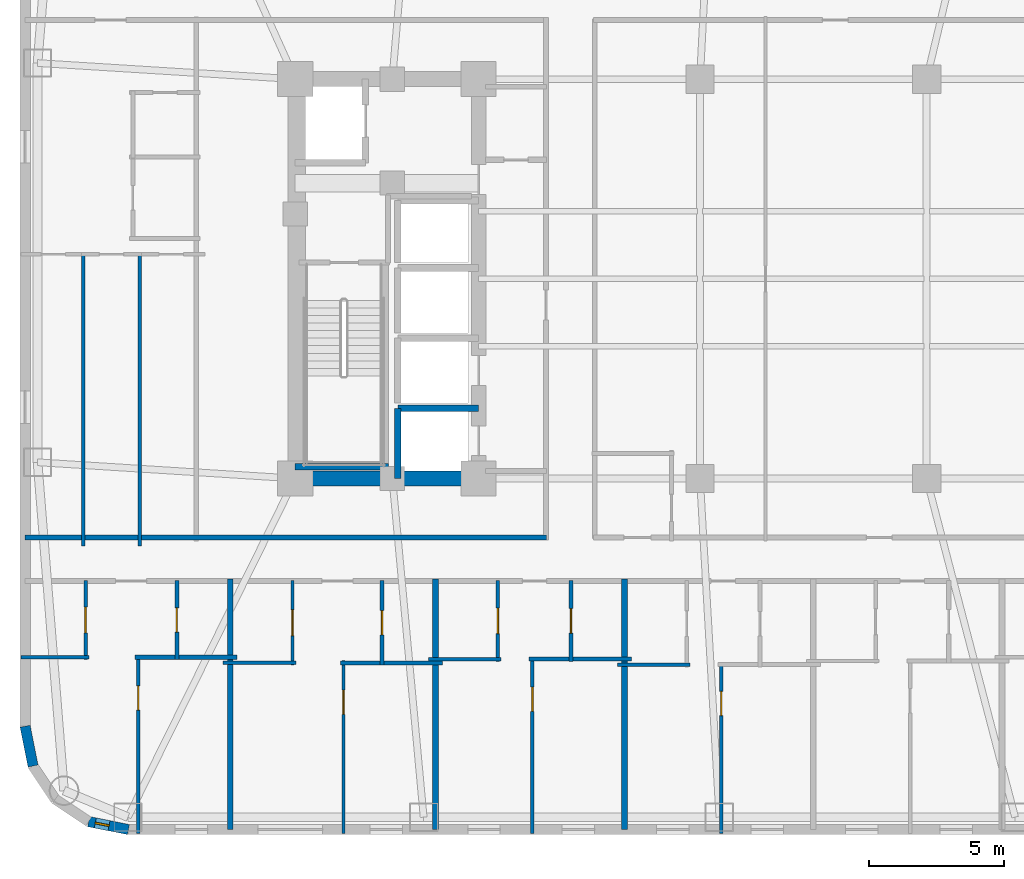
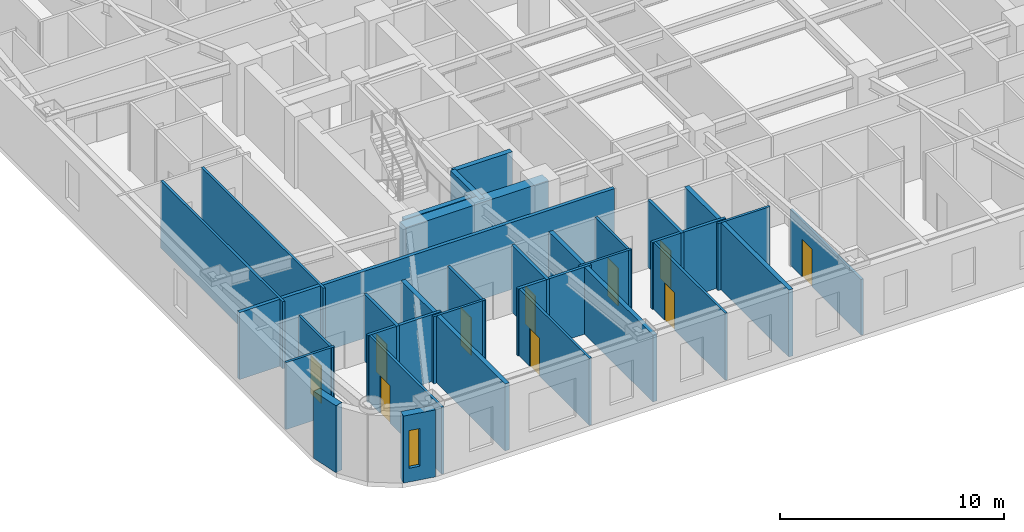
# One storey, part 3 of 13: 29 walls, 10 doors, 1 window, 11 openings.
"""IFC4 building model written with IfcOpenShell, lengths in metres."""

from ifc_helpers import new_model, si_unit, direction, frame, frame_2d, origin, place, context, subcontext, project, spatial, rectangle, extrude, material, layer, layer_set, type_object, element, fill, save


model = new_model("IFC4")

# Units and contexts
model_context = context("Model", 3, precision=1e-05, world=origin(), true_north=direction((0.0, 1.0)))
body_context = subcontext(model_context, "Body", "Model", "MODEL_VIEW")
ifc_project = project(units=[si_unit("LENGTHUNIT", "METRE"), si_unit("AREAUNIT", "SQUARE_METRE"), si_unit("VOLUMEUNIT", "CUBIC_METRE"), si_unit("PLANEANGLEUNIT", "RADIAN"), si_unit("MASSUNIT", "GRAM", prefix="KILO")], contexts=[model_context])

# Site, building, storey
site_placement = place(None, origin())
site = spatial("IfcSite", under=ifc_project, at=site_placement, CompositionType="ELEMENT")
building_placement = place(site_placement, origin())
building = spatial("IfcBuilding", under=site, at=building_placement, Name="Voryun Gate Residences", CompositionType="ELEMENT")
storey_placement = place(building_placement, frame((0.0, 0.0, 120.89990234375)))
storey = spatial("IfcBuildingStorey", under=building, at=storey_placement, Name="L29", CompositionType="ELEMENT", Elevation=120.89990234375)

# Walls
ifc_material_1 = material(Name="Concrete C60/75", Category="concrete")
ifc_layer_1 = layer(ifc_material_1, 0.550048828125, Name="CW_CORE_550")
ifc_layer_set_1 = layer_set([ifc_layer_1], Name="Concrete C60/75")
wall_type_1 = type_object("IfcWallType", Name="CW_CORE_550", PredefinedType="SHEAR", material=ifc_layer_set_1)
wall_1_placement = place(storey_placement, frame((-19.47509765625, -7.39990234375, 0.0), z_axis=(0.0, 0.0, 1.0), x_axis=(1.0, 0.0, 0.0)))
element("IfcWall", 1, at=wall_1_placement, inside=storey, type_object=wall_type_1, Name="L29 Core shear wall CW-L29-WS", PredefinedType="SHEAR", context=body_context, shape_type="SweptSolid", body=[
    extrude(rectangle(XDim=7.35009765625, YDim=0.550048828125, at=frame_2d((3.675048828125, 0.0))), origin(), (0.0, 0.0, 1.0), 3.650146484375),
])
ifc_material_2 = material(Name="Gypsum acoustic fireboard")
ifc_layer_2 = layer(ifc_material_2, 0.179931640625, Name="W_CORR_RATED_180")
ifc_layer_set_2 = layer_set([ifc_layer_2], Name="Gypsum acoustic fireboard")
wall_type_2 = type_object("IfcWallType", Name="W_CORR_RATED_180", PredefinedType="PARTITIONING", material=ifc_layer_set_2)
wall_2_placement = place(storey_placement, frame((-29.2099609375, -9.590087890625, 0.0), z_axis=(0.0, 0.0, 1.0), x_axis=(1.0, 0.0, 0.0)))
element("IfcWall", 2, at=wall_2_placement, inside=storey, type_object=wall_type_2, Name="Partition wall WP-L29-CWING-WS", PredefinedType="PARTITIONING", context=body_context, shape_type="SweptSolid", body=[
    extrude(rectangle(XDim=19.330078125, YDim=0.179931640625, at=frame_2d((9.6650390625, 0.0))), origin(), (0.0, 0.0, 1.0), 3.650146484375),
])

# Wall, opening, window
ifc_material_3 = material(Name="Granite masonry", Category="masonry")
ifc_layer_3 = layer(ifc_material_3, 0.3798828125, Name="W_EXT_GRANITE_380")
ifc_layer_set_3 = layer_set([ifc_layer_3], Name="Granite masonry")
wall_type_3 = type_object("IfcWallType", Name="W_EXT_GRANITE_380", PredefinedType="ELEMENTEDWALL", material=ifc_layer_set_3)
wall_3_placement = place(storey_placement, frame((-25.38134765625, -20.409912109375, 0.0), z_axis=(0.0, 0.0, 1.0), x_axis=(-0.980786132421, 0.195086038585, 0.0)))
wall_3 = element("IfcWall", 3, at=wall_3_placement, inside=storey, type_object=wall_type_3, Name="Exterior wall WEXT-L29-02", PredefinedType="ELEMENTEDWALL", context=body_context, shape_type="SweptSolid", body=[
    extrude(rectangle(XDim=1.504150390625, YDim=0.3798828125, at=frame_2d((0.751953125, 0.0))), origin(), (0.0, 0.0, 1.0), 3.650146484375),
])
opening_1_placement = place(wall_3_placement, frame((0.732177734375, 0.0, 0.75)))
opening_1 = element("IfcOpeningElement", 4, at=opening_1_placement, cuts=wall_3, Name="Opening WN10", PredefinedType="OPENING", context=body_context, shape_type="SweptSolid", body=[
    extrude(rectangle(XDim=0.52001953125, YDim=2.050048828125, at=frame_2d((0.260009765625, 1.02490234375))), frame((0.0, 0.199951171875, 0.0), z_axis=(0.0, -1.0, 0.0), x_axis=(1.0, 0.0, 0.0)), (0.0, 0.0, 1.0), 0.39990234375),
])
ifc_material_4 = material(Name="Laminated low-E glass", Category="glass")
window_type = type_object("IfcWindowType", Name="WN_PAGODA_LANCET_520", PartitioningType="SINGLE_PANEL", PredefinedType="WINDOW", material=ifc_material_4)
window_placement = place(opening_1_placement, origin())
window = element("IfcWindow", 5, at=window_placement, inside=storey, type_object=window_type, Name="Window WN-L29-DWFIX-16", OverallHeight=2.050048828125, OverallWidth=0.52001953125, PartitioningType="SINGLE_PANEL", PredefinedType="WINDOW", context=body_context, shape_type="SweptSolid", body=[
    extrude(rectangle(XDim=0.52001953125, YDim=2.050048828125, at=frame_2d((0.260009765625, 1.02490234375))), frame((0.0, 0.030029296875, 0.0), z_axis=(0.0, -1.0, 0.0), x_axis=(1.0, 0.0, 0.0)), (0.0, 0.0, 1.0), 0.06005859375),
])
fill(opening_1, window)

# Walls
wall_4_placement = place(storey_placement, frame((-28.91650390625, -18.056640625, 0.0), z_axis=(0.0, 0.0, 1.0), x_axis=(-0.195086038585, 0.980786132421, 0.0)))
element("IfcWall", 6, at=wall_4_placement, inside=storey, type_object=wall_type_3, Name="Exterior wall WEXT-L29-05", PredefinedType="ELEMENTEDWALL", context=body_context, shape_type="SweptSolid", body=[
    extrude(rectangle(XDim=1.504150390625, YDim=0.3798828125, at=frame_2d((0.751953125, 0.0))), origin(), (0.0, 0.0, 1.0), 3.650146484375),
])
ifc_material_5 = material(Name="Concrete C40/50", Category="concrete")
ifc_layer_4 = layer(ifc_material_5, 0.219970703125, Name="W_PARTY_ACOUSTIC_220")
ifc_layer_set_4 = layer_set([ifc_layer_4], Name="Concrete C40/50")
wall_type_4 = type_object("IfcWallType", Name="W_PARTY_ACOUSTIC_220", PredefinedType="PARTITIONING", material=ifc_layer_set_4)
for number, where, z_axis, x_axis, name in (
    (7, (-21.60888671875, -20.409912109375, 0.0), (0.0, 0.0, 1.0), (0.0, 1.0, 0.0), "Partition wall WP-L29-SPTY-1"),
    (8, (-14.0, -20.409912109375, 0.0), (0.0, 0.0, 1.0), (0.0, 1.0, 0.0), "Partition wall WP-L29-SPTY-2"),
    (9, (-7.0, -20.409912109375, 0.0), (0.0, 0.0, 1.0), (0.0, 1.0, 0.0), "Partition wall WP-L29-SPTY-3"),
):
    element("IfcWall", number, at=place(storey_placement, frame(where, z_axis=z_axis, x_axis=x_axis)), inside=storey, type_object=wall_type_4, Name=name, PredefinedType="PARTITIONING", context=body_context, shape_type="SweptSolid", body=[
        extrude(rectangle(XDim=9.289794921875, YDim=0.219970703125, at=frame_2d((4.64501953125, 0.0))), origin(), (0.0, 0.0, 1.0), 3.650146484375),
    ])
ifc_material_6 = material(Name="Concrete C50/60", Category="concrete")
ifc_layer_5 = layer(ifc_material_6, 0.25, Name="W_SHAFT_RC250")
ifc_layer_set_5 = layer_set([ifc_layer_5], Name="Concrete C50/60")
wall_type_5 = type_object("IfcWallType", Name="W_SHAFT_RC250", PredefinedType="SOLIDWALL", material=ifc_layer_set_5)
wall_5_placement = place(storey_placement, frame((-19.199951171875, -6.965087890625, 0.0), z_axis=(0.0, 0.0, 1.0), x_axis=(1.0, 0.0, 0.0)))
element("IfcWall", 10, at=wall_5_placement, inside=storey, type_object=wall_type_5, Name="L29 Stair shaft structural wall W-STS", PredefinedType="SOLIDWALL", context=body_context, shape_type="SweptSolid", body=[
    extrude(rectangle(XDim=3.4599609375, YDim=0.25, at=frame_2d((1.72998046875, 0.0))), origin(), (0.0, 0.0, 1.0), 3.650146484375),
])
wall_6_placement = place(storey_placement, frame((-12.39990234375, -4.800048828125, 0.0), z_axis=(0.0, 0.0, 1.0), x_axis=(-1.0, 0.0, 0.0)))
element("IfcWall", 11, at=wall_6_placement, inside=storey, type_object=wall_type_5, Name="Lift shaft wall WSH-L29-EL-P1-N", PredefinedType="SOLIDWALL", context=body_context, shape_type="SweptSolid", body=[
    extrude(rectangle(XDim=3.0, YDim=0.25, at=frame_2d((1.5, 0.0))), origin(), (0.0, 0.0, 1.0), 3.650146484375),
])
wall_7_placement = place(storey_placement, frame((-15.39990234375, -4.800048828125, 0.0), z_axis=(0.0, 0.0, 1.0), x_axis=(0.0, -1.0, 0.0)))
element("IfcWall", 12, at=wall_7_placement, inside=storey, type_object=wall_type_5, Name="Lift shaft wall WSH-L29-EL-P1-W", PredefinedType="SOLIDWALL", context=body_context, shape_type="SweptSolid", body=[
    extrude(rectangle(XDim=2.599853515625, YDim=0.25, at=frame_2d((1.2998046875, 0.0))), origin(), (0.0, 0.0, 1.0), 3.650146484375),
])

# Wall, opening, door
ifc_material_7 = material(Name="Gypsum acoustic partition")
ifc_layer_6 = layer(ifc_material_7, 0.125, Name="W_UNIT_PART_125")
ifc_layer_set_6 = layer_set([ifc_layer_6], Name="Gypsum acoustic partition")
wall_type_6 = type_object("IfcWallType", Name="W_UNIT_PART_125", PredefinedType="PARTITIONING", material=ifc_layer_set_6)
wall_8_placement = place(storey_placement, frame((-25.01904296875, -20.56005859375, 0.0), z_axis=(0.0, 0.0, 1.0), x_axis=(0.0, 1.0, 0.0)))
wall_8 = element("IfcWall", 13, at=wall_8_placement, inside=storey, type_object=wall_type_6, Name="Partition wall WP-L29-S1-OVR", PredefinedType="PARTITIONING", context=body_context, shape_type="SweptSolid", body=[
    extrude(rectangle(XDim=6.614990234375, YDim=0.125, at=frame_2d((3.3076171875, 0.0))), origin(), (0.0, 0.0, 1.0), 3.650146484375),
])
opening_2_placement = place(wall_8_placement, frame((4.577392578125, 0.0, 0.0)))
opening_2 = element("IfcOpeningElement", 14, at=opening_2_placement, cuts=wall_8, Name="Opening D-INT-2", PredefinedType="OPENING", context=body_context, shape_type="SweptSolid", body=[
    extrude(rectangle(XDim=0.89990234375, YDim=2.050048828125, at=frame_2d((0.449951171875, 1.02490234375))), frame((0.0, 0.072509765625, 0.0), z_axis=(0.0, -1.0, 0.0), x_axis=(1.0, 0.0, 0.0)), (0.0, 0.0, 1.0), 0.14501953125),
])
ifc_material_8 = material(Name="Architectural oak veneer")
door_type_1 = type_object("IfcDoorType", Name="DR_INT_BATH_900", OperationType="NOTDEFINED", PredefinedType="DOOR", material=ifc_material_8)
door_1_placement = place(opening_2_placement, origin())
door_1 = element("IfcDoor", 15, at=door_1_placement, inside=storey, type_object=door_type_1, Name="Door DR-L29-S1-DMB", OperationType="SINGLE_SWING_RIGHT", OverallHeight=2.050048828125, OverallWidth=0.89990234375, PredefinedType="DOOR", context=body_context, shape_type="SweptSolid", body=[
    extrude(rectangle(XDim=0.89990234375, YDim=2.050048828125, at=frame_2d((0.449951171875, 1.02490234375))), frame((0.0, 0.02490234375, 0.0), z_axis=(0.0, -1.0, 0.0), x_axis=(1.0, 0.0, 0.0)), (0.0, 0.0, 1.0), 0.050048828125),
])
fill(opening_2, door_1)

wall_9_placement = place(storey_placement, frame((-26.968017578125, -14.10498046875, 0.0), z_axis=(0.0, 0.0, 1.0), x_axis=(0.0, 1.0, 0.0)))
wall_9 = element("IfcWall", 16, at=wall_9_placement, inside=storey, type_object=wall_type_6, Name="Partition wall WP-L29-S1-IVK", PredefinedType="PARTITIONING", context=body_context, shape_type="SweptSolid", body=[
    extrude(rectangle(XDim=2.925048828125, YDim=0.125, at=frame_2d((1.46240234375, 0.0))), origin(), (0.0, 0.0, 1.0), 3.650146484375),
])
opening_3_placement = place(wall_9_placement, frame((0.987548828125, 0.0, 0.0)))
opening_3 = element("IfcOpeningElement", 17, at=opening_3_placement, cuts=wall_9, Name="Opening D-INT-1", PredefinedType="OPENING", context=body_context, shape_type="SweptSolid", body=[
    extrude(rectangle(XDim=0.949951171875, YDim=2.050048828125, at=frame_2d((0.47509765625, 1.02490234375))), frame((0.0, 0.072509765625, 0.0), z_axis=(0.0, -1.0, 0.0), x_axis=(1.0, 0.0, 0.0)), (0.0, 0.0, 1.0), 0.14501953125),
])
ifc_material_9 = material(Name="Architectural oak veneer")
door_type_2 = type_object("IfcDoorType", Name="DR_INT_ROOM_950", OperationType="NOTDEFINED", PredefinedType="DOOR", material=ifc_material_9)
door_2_placement = place(opening_3_placement, origin())
door_2 = element("IfcDoor", 18, at=door_2_placement, inside=storey, type_object=door_type_2, Name="Door DR-L29-S1-DK", OperationType="SINGLE_SWING_LEFT", OverallHeight=2.050048828125, OverallWidth=0.949951171875, PredefinedType="DOOR", context=body_context, shape_type="SweptSolid", body=[
    extrude(rectangle(XDim=0.949951171875, YDim=2.050048828125, at=frame_2d((0.47509765625, 1.02490234375))), frame((0.0, 0.02490234375, 0.0), z_axis=(0.0, -1.0, 0.0), x_axis=(1.0, 0.0, 0.0)), (0.0, 0.0, 1.0), 0.050048828125),
])
fill(opening_3, door_2)

# Wall
wall_10_placement = place(storey_placement, frame((-29.360107421875, -14.02490234375, 0.0), z_axis=(0.0, 0.0, 1.0), x_axis=(1.0, 0.0, 0.0)))
element("IfcWall", 19, at=wall_10_placement, inside=storey, type_object=wall_type_6, Name="Partition wall WP-L29-S1-HZK", PredefinedType="PARTITIONING", context=body_context, shape_type="SweptSolid", body=[
    extrude(rectangle(XDim=2.51220703125, YDim=0.125, at=frame_2d((1.256103515625, 0.0))), origin(), (0.0, 0.0, 1.0), 3.650146484375),
])

# Wall, opening, door
wall_11_placement = place(storey_placement, frame((-17.409912109375, -20.56005859375, 0.0), z_axis=(0.0, 0.0, 1.0), x_axis=(0.0, 1.0, 0.0)))
wall_11 = element("IfcWall", 20, at=wall_11_placement, inside=storey, type_object=wall_type_6, Name="Partition wall WP-L29-S2-OVR", PredefinedType="PARTITIONING", context=body_context, shape_type="SweptSolid", body=[
    extrude(rectangle(XDim=6.407958984375, YDim=0.125, at=frame_2d((3.2041015625, 0.0))), origin(), (0.0, 0.0, 1.0), 3.650146484375),
])
opening_4_placement = place(wall_11_placement, frame((4.420166015625, 0.0, 0.0)))
opening_4 = element("IfcOpeningElement", 21, at=opening_4_placement, cuts=wall_11, Name="Opening D-INT-2", PredefinedType="OPENING", context=body_context, shape_type="SweptSolid", body=[
    extrude(rectangle(XDim=0.89990234375, YDim=2.050048828125, at=frame_2d((0.449951171875, 1.02490234375))), frame((0.0, 0.072509765625, 0.0), z_axis=(0.0, -1.0, 0.0), x_axis=(1.0, 0.0, 0.0)), (0.0, 0.0, 1.0), 0.14501953125),
])
door_3_placement = place(opening_4_placement, origin())
door_3 = element("IfcDoor", 22, at=door_3_placement, inside=storey, type_object=door_type_1, Name="Door DR-L29-S2-DMB", OperationType="SINGLE_SWING_RIGHT", OverallHeight=2.050048828125, OverallWidth=0.89990234375, PredefinedType="DOOR", context=body_context, shape_type="SweptSolid", body=[
    extrude(rectangle(XDim=0.89990234375, YDim=2.050048828125, at=frame_2d((0.449951171875, 1.02490234375))), frame((0.0, 0.02490234375, 0.0), z_axis=(0.0, -1.0, 0.0), x_axis=(1.0, 0.0, 0.0)), (0.0, 0.0, 1.0), 0.050048828125),
])
fill(opening_4, door_3)

wall_12_placement = place(storey_placement, frame((-19.299072265625, -14.31201171875, 0.0), z_axis=(0.0, 0.0, 1.0), x_axis=(0.0, 1.0, 0.0)))
wall_12 = element("IfcWall", 23, at=wall_12_placement, inside=storey, type_object=wall_type_6, Name="Partition wall WP-L29-S2-IVK", PredefinedType="PARTITIONING", context=body_context, shape_type="SweptSolid", body=[
    extrude(rectangle(XDim=3.132080078125, YDim=0.125, at=frame_2d((1.56591796875, 0.0))), origin(), (0.0, 0.0, 1.0), 3.650146484375),
])
opening_5_placement = place(wall_12_placement, frame((1.091064453125, 0.0, 0.0)))
opening_5 = element("IfcOpeningElement", 24, at=opening_5_placement, cuts=wall_12, Name="Opening D-INT-1", PredefinedType="OPENING", context=body_context, shape_type="SweptSolid", body=[
    extrude(rectangle(XDim=0.949951171875, YDim=2.050048828125, at=frame_2d((0.47509765625, 1.02490234375))), frame((0.0, 0.072509765625, 0.0), z_axis=(0.0, -1.0, 0.0), x_axis=(1.0, 0.0, 0.0)), (0.0, 0.0, 1.0), 0.14501953125),
])
door_4_placement = place(opening_5_placement, origin())
door_4 = element("IfcDoor", 25, at=door_4_placement, inside=storey, type_object=door_type_2, Name="Door DR-L29-S2-DK", OperationType="SINGLE_SWING_LEFT", OverallHeight=2.050048828125, OverallWidth=0.949951171875, PredefinedType="DOOR", context=body_context, shape_type="SweptSolid", body=[
    extrude(rectangle(XDim=0.949951171875, YDim=2.050048828125, at=frame_2d((0.47509765625, 1.02490234375))), frame((0.0, 0.02490234375, 0.0), z_axis=(0.0, -1.0, 0.0), x_axis=(1.0, 0.0, 0.0)), (0.0, 0.0, 1.0), 0.050048828125),
])
fill(opening_5, door_4)

# Wall
wall_13_placement = place(storey_placement, frame((-21.868896484375, -14.23193359375, 0.0), z_axis=(0.0, 0.0, 1.0), x_axis=(1.0, 0.0, 0.0)))
element("IfcWall", 26, at=wall_13_placement, inside=storey, type_object=wall_type_6, Name="Partition wall WP-L29-S2-HZK", PredefinedType="PARTITIONING", context=body_context, shape_type="SweptSolid", body=[
    extrude(rectangle(XDim=2.68994140625, YDim=0.125, at=frame_2d((1.344970703125, 0.0))), origin(), (0.0, 0.0, 1.0), 3.650146484375),
])

# Wall, opening, door
wall_14_placement = place(storey_placement, frame((-10.409912109375, -20.56005859375, 0.0), z_axis=(0.0, 0.0, 1.0), x_axis=(0.0, 1.0, 0.0)))
wall_14 = element("IfcWall", 27, at=wall_14_placement, inside=storey, type_object=wall_type_6, Name="Partition wall WP-L29-S3-OVR", PredefinedType="PARTITIONING", context=body_context, shape_type="SweptSolid", body=[
    extrude(rectangle(XDim=6.546142578125, YDim=0.125, at=frame_2d((3.27294921875, 0.0))), origin(), (0.0, 0.0, 1.0), 3.650146484375),
])
opening_6_placement = place(wall_14_placement, frame((4.52490234375, 0.0, 0.0)))
opening_6 = element("IfcOpeningElement", 28, at=opening_6_placement, cuts=wall_14, Name="Opening D-INT-2", PredefinedType="OPENING", context=body_context, shape_type="SweptSolid", body=[
    extrude(rectangle(XDim=0.89990234375, YDim=2.050048828125, at=frame_2d((0.449951171875, 1.02490234375))), frame((0.0, 0.072509765625, 0.0), z_axis=(0.0, -1.0, 0.0), x_axis=(1.0, 0.0, 0.0)), (0.0, 0.0, 1.0), 0.14501953125),
])
door_5_placement = place(opening_6_placement, origin())
door_5 = element("IfcDoor", 29, at=door_5_placement, inside=storey, type_object=door_type_1, Name="Door DR-L29-S3-DMB", OperationType="SINGLE_SWING_RIGHT", OverallHeight=2.050048828125, OverallWidth=0.89990234375, PredefinedType="DOOR", context=body_context, shape_type="SweptSolid", body=[
    extrude(rectangle(XDim=0.89990234375, YDim=2.050048828125, at=frame_2d((0.449951171875, 1.02490234375))), frame((0.0, 0.02490234375, 0.0), z_axis=(0.0, -1.0, 0.0), x_axis=(1.0, 0.0, 0.0)), (0.0, 0.0, 1.0), 0.050048828125),
])
fill(opening_6, door_5)

wall_15_placement = place(storey_placement, frame((-11.68994140625, -14.174072265625, 0.0), z_axis=(0.0, 0.0, 1.0), x_axis=(0.0, 1.0, 0.0)))
wall_15 = element("IfcWall", 30, at=wall_15_placement, inside=storey, type_object=wall_type_6, Name="Partition wall WP-L29-S3-IVK", PredefinedType="PARTITIONING", context=body_context, shape_type="SweptSolid", body=[
    extrude(rectangle(XDim=2.994140625, YDim=0.125, at=frame_2d((1.4970703125, 0.0))), origin(), (0.0, 0.0, 1.0), 3.650146484375),
])
opening_7_placement = place(wall_15_placement, frame((1.02197265625, 0.0, 0.0)))
opening_7 = element("IfcOpeningElement", 31, at=opening_7_placement, cuts=wall_15, Name="Opening D-INT-1", PredefinedType="OPENING", context=body_context, shape_type="SweptSolid", body=[
    extrude(rectangle(XDim=0.949951171875, YDim=2.050048828125, at=frame_2d((0.47509765625, 1.02490234375))), frame((0.0, 0.072509765625, 0.0), z_axis=(0.0, -1.0, 0.0), x_axis=(1.0, 0.0, 0.0)), (0.0, 0.0, 1.0), 0.14501953125),
])
door_6_placement = place(opening_7_placement, origin())
door_6 = element("IfcDoor", 32, at=door_6_placement, inside=storey, type_object=door_type_2, Name="Door DR-L29-S3-DK", OperationType="SINGLE_SWING_LEFT", OverallHeight=2.050048828125, OverallWidth=0.949951171875, PredefinedType="DOOR", context=body_context, shape_type="SweptSolid", body=[
    extrude(rectangle(XDim=0.949951171875, YDim=2.050048828125, at=frame_2d((0.47509765625, 1.02490234375))), frame((0.0, 0.02490234375, 0.0), z_axis=(0.0, -1.0, 0.0), x_axis=(1.0, 0.0, 0.0)), (0.0, 0.0, 1.0), 0.050048828125),
])
fill(opening_7, door_6)

# Wall
wall_16_placement = place(storey_placement, frame((-14.260009765625, -14.093994140625, 0.0), z_axis=(0.0, 0.0, 1.0), x_axis=(1.0, 0.0, 0.0)))
element("IfcWall", 33, at=wall_16_placement, inside=storey, type_object=wall_type_6, Name="Partition wall WP-L29-S3-HZK", PredefinedType="PARTITIONING", context=body_context, shape_type="SweptSolid", body=[
    extrude(rectangle(XDim=2.68994140625, YDim=0.125, at=frame_2d((1.344970703125, 0.0))), origin(), (0.0, 0.0, 1.0), 3.650146484375),
])

# Wall, opening, door
wall_17_placement = place(storey_placement, frame((-3.409912109375, -20.56005859375, 0.0), z_axis=(0.0, 0.0, 1.0), x_axis=(0.0, 1.0, 0.0)))
wall_17 = element("IfcWall", 34, at=wall_17_placement, inside=storey, type_object=wall_type_6, Name="Partition wall WP-L29-S4-OVR", PredefinedType="PARTITIONING", context=body_context, shape_type="SweptSolid", body=[
    extrude(rectangle(XDim=6.339111328125, YDim=0.125, at=frame_2d((3.16943359375, 0.0))), origin(), (0.0, 0.0, 1.0), 3.0400390625),
])
opening_8_placement = place(wall_17_placement, frame((4.36767578125, 0.0, 0.0)))
opening_8 = element("IfcOpeningElement", 35, at=opening_8_placement, cuts=wall_17, Name="Opening D-INT-2", PredefinedType="OPENING", context=body_context, shape_type="SweptSolid", body=[
    extrude(rectangle(XDim=0.89990234375, YDim=2.050048828125, at=frame_2d((0.449951171875, 1.02490234375))), frame((0.0, 0.072509765625, 0.0), z_axis=(0.0, -1.0, 0.0), x_axis=(1.0, 0.0, 0.0)), (0.0, 0.0, 1.0), 0.14501953125),
])
door_7_placement = place(opening_8_placement, origin())
door_7 = element("IfcDoor", 36, at=door_7_placement, inside=storey, type_object=door_type_1, Name="Door DR-L29-S4-DMB", OperationType="SINGLE_SWING_RIGHT", OverallHeight=2.050048828125, OverallWidth=0.89990234375, PredefinedType="DOOR", context=body_context, shape_type="SweptSolid", body=[
    extrude(rectangle(XDim=0.89990234375, YDim=2.050048828125, at=frame_2d((0.449951171875, 1.02490234375))), frame((0.0, 0.02490234375, 0.0), z_axis=(0.0, -1.0, 0.0), x_axis=(1.0, 0.0, 0.0)), (0.0, 0.0, 1.0), 0.050048828125),
])
fill(opening_8, door_7)

# Walls
wall_18_placement = place(storey_placement, frame((-7.260009765625, -14.301025390625, 0.0), z_axis=(0.0, 0.0, 1.0), x_axis=(1.0, 0.0, 0.0)))
element("IfcWall", 37, at=wall_18_placement, inside=storey, type_object=wall_type_6, Name="Partition wall WP-L29-S4-HZK", PredefinedType="PARTITIONING", context=body_context, shape_type="SweptSolid", body=[
    extrude(rectangle(XDim=2.68994140625, YDim=0.125, at=frame_2d((1.344970703125, 0.0))), origin(), (0.0, 0.0, 1.0), 3.650146484375),
])
for number, where, z_axis, x_axis, name in (
    (38, (-24.965087890625, -9.909912109375, 0.0), (0.0, 0.0, 1.0), (0.0, 1.0, 0.0), "Partition wall WP-L29-W1-VMB2"),
    (39, (-27.05908203125, -9.909912109375, 0.0), (0.0, 0.0, 1.0), (0.0, 1.0, 0.0), "Partition wall WP-L29-W1-VMB"),
):
    element("IfcWall", number, at=place(storey_placement, frame(where, z_axis=z_axis, x_axis=x_axis)), inside=storey, type_object=wall_type_6, Name=name, PredefinedType="PARTITIONING", context=body_context, shape_type="SweptSolid", body=[
        extrude(rectangle(XDim=10.8798828125, YDim=0.125, at=frame_2d((5.43994140625, 0.0))), origin(), (0.0, 0.0, 1.0), 3.650146484375),
    ])
ifc_material_10 = material(Name="Gypsum moisture-resistant partition")
ifc_layer_7 = layer(ifc_material_10, 0.14990234375, Name="W_WET_PLUMB_150")
ifc_layer_set_7 = layer_set([ifc_layer_7], Name="Gypsum moisture-resistant partition")
wall_type_7 = type_object("IfcWallType", Name="W_WET_PLUMB_150", PredefinedType="PLUMBINGWALL", material=ifc_layer_set_7)
wall_19_placement = place(storey_placement, frame((-25.138916015625, -14.02490234375, 0.0), z_axis=(0.0, 0.0, 1.0), x_axis=(1.0, 0.0, 0.0)))
element("IfcWall", 40, at=wall_19_placement, inside=storey, type_object=wall_type_7, Name="Partition wall WP-L29-S1-HZB", PredefinedType="PLUMBINGWALL", context=body_context, shape_type="SweptSolid", body=[
    extrude(rectangle(XDim=3.789794921875, YDim=0.14990234375, at=frame_2d((1.89501953125, 0.0))), origin(), (0.0, 0.0, 1.0), 3.650146484375),
])

# Wall, opening, door
wall_20_placement = place(storey_placement, frame((-23.589111328125, -14.10498046875, 0.0), z_axis=(0.0, 0.0, 1.0), x_axis=(0.0, 1.0, 0.0)))
wall_20 = element("IfcWall", 41, at=wall_20_placement, inside=storey, type_object=wall_type_7, Name="Partition wall WP-L29-S1-IVB", PredefinedType="PLUMBINGWALL", context=body_context, shape_type="SweptSolid", body=[
    extrude(rectangle(XDim=2.925048828125, YDim=0.14990234375, at=frame_2d((1.46240234375, 0.0))), origin(), (0.0, 0.0, 1.0), 3.650146484375),
])
opening_9_placement = place(wall_20_placement, frame((1.012451171875, 0.0, 0.0)))
opening_9 = element("IfcOpeningElement", 42, at=opening_9_placement, cuts=wall_20, Name="Opening D-INT-2", PredefinedType="OPENING", context=body_context, shape_type="SweptSolid", body=[
    extrude(rectangle(XDim=0.89990234375, YDim=2.050048828125, at=frame_2d((0.449951171875, 1.02490234375))), frame((0.0, 0.0849609375, 0.0), z_axis=(0.0, -1.0, 0.0), x_axis=(1.0, 0.0, 0.0)), (0.0, 0.0, 1.0), 0.169921875),
])
door_8_placement = place(opening_9_placement, origin())
door_8 = element("IfcDoor", 43, at=door_8_placement, inside=storey, type_object=door_type_1, Name="Door DR-L29-S1-DB", OperationType="SINGLE_SWING_RIGHT", OverallHeight=2.050048828125, OverallWidth=0.89990234375, PredefinedType="DOOR", context=body_context, shape_type="SweptSolid", body=[
    extrude(rectangle(XDim=0.89990234375, YDim=2.050048828125, at=frame_2d((0.449951171875, 1.02490234375))), frame((0.0, 0.02490234375, 0.0), z_axis=(0.0, -1.0, 0.0), x_axis=(1.0, 0.0, 0.0)), (0.0, 0.0, 1.0), 0.050048828125),
])
fill(opening_9, door_8)

# Wall
wall_21_placement = place(storey_placement, frame((-17.530029296875, -14.23193359375, 0.0), z_axis=(0.0, 0.0, 1.0), x_axis=(1.0, 0.0, 0.0)))
element("IfcWall", 44, at=wall_21_placement, inside=storey, type_object=wall_type_7, Name="Partition wall WP-L29-S2-HZB", PredefinedType="PLUMBINGWALL", context=body_context, shape_type="SweptSolid", body=[
    extrude(rectangle(XDim=3.7900390625, YDim=0.14990234375, at=frame_2d((1.89501953125, 0.0))), origin(), (0.0, 0.0, 1.0), 3.650146484375),
])

# Wall, opening, door
wall_22_placement = place(storey_placement, frame((-15.97998046875, -14.31201171875, 0.0), z_axis=(0.0, 0.0, 1.0), x_axis=(0.0, 1.0, 0.0)))
wall_22 = element("IfcWall", 45, at=wall_22_placement, inside=storey, type_object=wall_type_7, Name="Partition wall WP-L29-S2-IVB", PredefinedType="PLUMBINGWALL", context=body_context, shape_type="SweptSolid", body=[
    extrude(rectangle(XDim=3.132080078125, YDim=0.14990234375, at=frame_2d((1.56591796875, 0.0))), origin(), (0.0, 0.0, 1.0), 3.650146484375),
])
opening_10_placement = place(wall_22_placement, frame((1.115966796875, 0.0, 0.0)))
opening_10 = element("IfcOpeningElement", 46, at=opening_10_placement, cuts=wall_22, Name="Opening D-INT-2", PredefinedType="OPENING", context=body_context, shape_type="SweptSolid", body=[
    extrude(rectangle(XDim=0.89990234375, YDim=2.050048828125, at=frame_2d((0.449951171875, 1.02490234375))), frame((0.0, 0.0849609375, 0.0), z_axis=(0.0, -1.0, 0.0), x_axis=(1.0, 0.0, 0.0)), (0.0, 0.0, 1.0), 0.169921875),
])
door_9_placement = place(opening_10_placement, origin())
door_9 = element("IfcDoor", 47, at=door_9_placement, inside=storey, type_object=door_type_1, Name="Door DR-L29-S2-DB", OperationType="SINGLE_SWING_RIGHT", OverallHeight=2.050048828125, OverallWidth=0.89990234375, PredefinedType="DOOR", context=body_context, shape_type="SweptSolid", body=[
    extrude(rectangle(XDim=0.89990234375, YDim=2.050048828125, at=frame_2d((0.449951171875, 1.02490234375))), frame((0.0, 0.02490234375, 0.0), z_axis=(0.0, -1.0, 0.0), x_axis=(1.0, 0.0, 0.0)), (0.0, 0.0, 1.0), 0.050048828125),
])
fill(opening_10, door_9)

# Wall
wall_23_placement = place(storey_placement, frame((-10.530029296875, -14.093994140625, 0.0), z_axis=(0.0, 0.0, 1.0), x_axis=(1.0, 0.0, 0.0)))
element("IfcWall", 48, at=wall_23_placement, inside=storey, type_object=wall_type_7, Name="Partition wall WP-L29-S3-HZB", PredefinedType="PLUMBINGWALL", context=body_context, shape_type="SweptSolid", body=[
    extrude(rectangle(XDim=3.7900390625, YDim=0.14990234375, at=frame_2d((1.89501953125, 0.0))), origin(), (0.0, 0.0, 1.0), 3.650146484375),
])

# Wall, opening, door
wall_24_placement = place(storey_placement, frame((-8.97998046875, -14.174072265625, 0.0), z_axis=(0.0, 0.0, 1.0), x_axis=(0.0, 1.0, 0.0)))
wall_24 = element("IfcWall", 49, at=wall_24_placement, inside=storey, type_object=wall_type_7, Name="Partition wall WP-L29-S3-IVB", PredefinedType="PLUMBINGWALL", context=body_context, shape_type="SweptSolid", body=[
    extrude(rectangle(XDim=2.994140625, YDim=0.14990234375, at=frame_2d((1.4970703125, 0.0))), origin(), (0.0, 0.0, 1.0), 3.650146484375),
])
opening_11_placement = place(wall_24_placement, frame((1.047119140625, 0.0, 0.0)))
opening_11 = element("IfcOpeningElement", 50, at=opening_11_placement, cuts=wall_24, Name="Opening D-INT-2", PredefinedType="OPENING", context=body_context, shape_type="SweptSolid", body=[
    extrude(rectangle(XDim=0.89990234375, YDim=2.050048828125, at=frame_2d((0.449951171875, 1.02490234375))), frame((0.0, 0.0849609375, 0.0), z_axis=(0.0, -1.0, 0.0), x_axis=(1.0, 0.0, 0.0)), (0.0, 0.0, 1.0), 0.169921875),
])
door_10_placement = place(opening_11_placement, origin())
door_10 = element("IfcDoor", 51, at=door_10_placement, inside=storey, type_object=door_type_1, Name="Door DR-L29-S3-DB", OperationType="SINGLE_SWING_RIGHT", OverallHeight=2.050048828125, OverallWidth=0.89990234375, PredefinedType="DOOR", context=body_context, shape_type="SweptSolid", body=[
    extrude(rectangle(XDim=0.89990234375, YDim=2.050048828125, at=frame_2d((0.449951171875, 1.02490234375))), frame((0.0, 0.02490234375, 0.0), z_axis=(0.0, -1.0, 0.0), x_axis=(1.0, 0.0, 0.0)), (0.0, 0.0, 1.0), 0.050048828125),
])
fill(opening_11, door_10)

save(model, "model.ifc")
